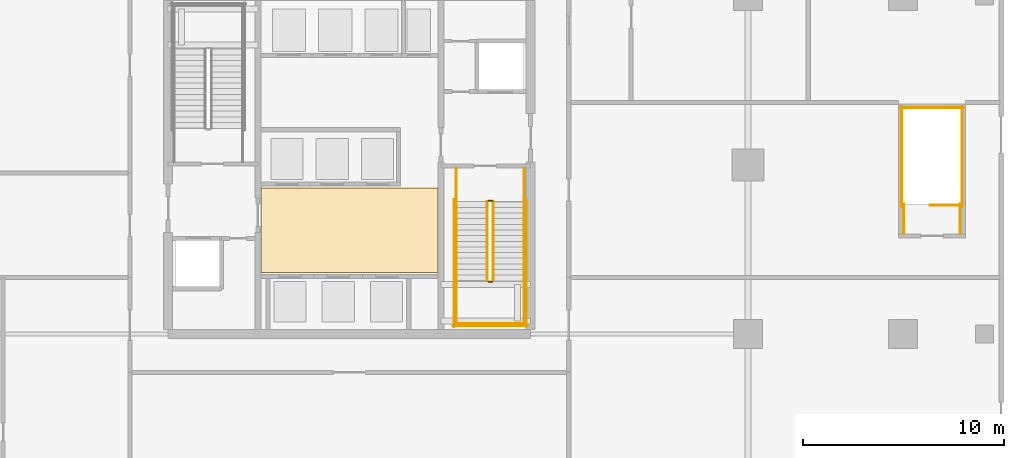
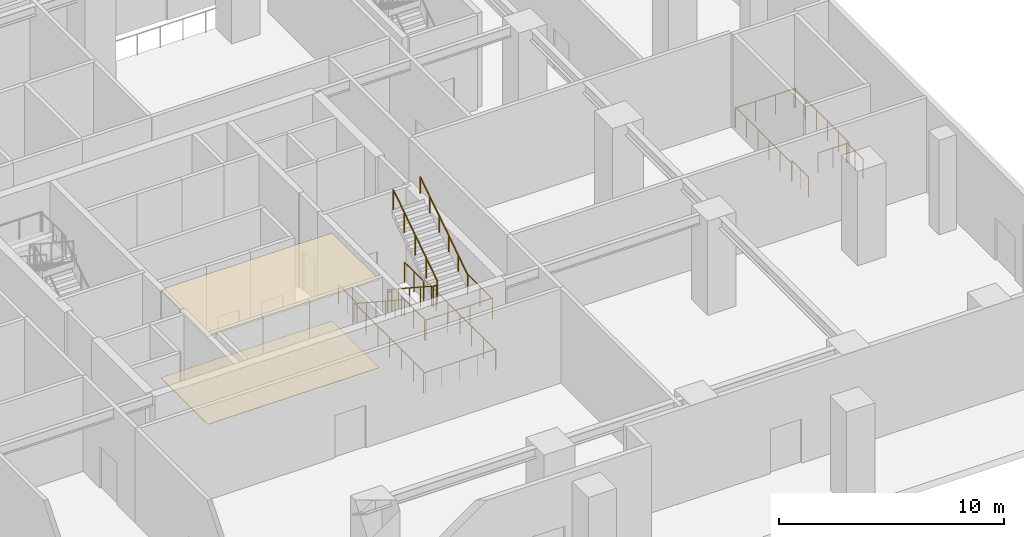
# One storey, part 12 of 15: 20 railings, 2 coverings.
"""IFC4 building model written with IfcOpenShell, lengths in metres."""

from ifc_helpers import new_model, si_unit, direction, frame, origin, origin_2d, place, context, subcontext, project, spatial, polyline, circle, outline, extrude, material, layer, layer_set, type_object, element, save


model = new_model("IFC4")

# Units and contexts
model_context = context("Model", 3, precision=1e-05, world=origin(), true_north=direction((0.0, 1.0)))
body_context = subcontext(model_context, "Body", "Model", "MODEL_VIEW")
ifc_project = project(units=[si_unit("LENGTHUNIT", "METRE"), si_unit("AREAUNIT", "SQUARE_METRE"), si_unit("VOLUMEUNIT", "CUBIC_METRE"), si_unit("PLANEANGLEUNIT", "RADIAN"), si_unit("MASSUNIT", "GRAM", prefix="KILO")], contexts=[model_context])

# Site, building, storey
site_placement = place(None, origin())
site = spatial("IfcSite", under=ifc_project, at=site_placement, CompositionType="ELEMENT")
building_placement = place(site_placement, origin())
building = spatial("IfcBuilding", under=site, at=building_placement, Name="Serunith Strait Residences", CompositionType="ELEMENT")
storey_placement = place(building_placement, origin())
storey = spatial("IfcBuildingStorey", under=building, at=storey_placement, Name="L00", CompositionType="ELEMENT", Elevation=0.0)

# Coverings
ifc_material_1 = material(Name="Perforated acoustic gypsum ceiling tile")
ifc_layer_1 = layer(ifc_material_1, 0.02490234375, Name="Perforated acoustic gypsum ceiling tile")
ifc_layer_set_1 = layer_set([ifc_layer_1], Name="Perforated acoustic gypsum ceiling tile")
covering_type_1 = type_object("IfcCoveringType", Name="COV-CEIL-AC60", PredefinedType="CEILING", material=ifc_layer_set_1)
covering_1_placement = place(storey_placement, frame((0.0, 0.0, 4.77001953125)))
element("IfcCovering", 1, at=covering_1_placement, inside=storey, type_object=covering_type_1, Name="L00 Lift Lobby Acoustic Ceiling", PredefinedType="CEILING", context=body_context, shape_type="SweptSolid", body=[
    extrude(outline(polyline([(28.0, 19.85009765625), (36.800048828125, 19.85009765625), (36.800048828125, 24.050048828125), (28.0, 24.050048828125), (28.0, 19.85009765625)])), origin(), (0.0, 0.0, 1.0), 0.02490234375),
])
ifc_material_2 = material(Name="Honed limestone terrazzo flooring", Category="masonry")
ifc_layer_2 = layer(ifc_material_2, 0.02001953125, Name="Honed limestone terrazzo flooring")
ifc_layer_set_2 = layer_set([ifc_layer_2], Name="Honed limestone terrazzo flooring")
covering_type_2 = type_object("IfcCoveringType", Name="COV-FLOOR-TER40", PredefinedType="FLOORING", material=ifc_layer_set_2)
covering_2_placement = place(storey_placement, origin())
element("IfcCovering", 2, at=covering_2_placement, inside=storey, type_object=covering_type_2, Name="L00 Lift Lobby Terrazzo Flooring", PredefinedType="FLOORING", context=body_context, shape_type="SweptSolid", body=[
    extrude(outline(polyline([(28.0, 19.85009765625), (36.800048828125, 19.85009765625), (36.800048828125, 24.050048828125), (28.0, 24.050048828125), (28.0, 19.85009765625)])), origin(), (0.0, 0.0, 1.0), 0.02001953125),
])

# Railings
ifc_material_3 = material(Name="Brushed stainless steel 316L", Category="steel")
railing_type_1 = type_object("IfcRailingType", Name="RLG-STAIR-GUARD", PredefinedType="BALUSTRADE", material=ifc_material_3)
railing_1_placement = place(storey_placement, frame((39.25, 23.3701171875, 0.183349609375)))
element("IfcRailing", 3, at=railing_1_placement, inside=storey, type_object=railing_type_1, Name="L00 ST-2 stair guard 1", PredefinedType="BALUSTRADE", context=body_context, shape_type="SweptSolid", body=[
    extrude(circle(Radius=0.02392578125, at=origin_2d()), frame((0.0, -0.001708984375, 1.0771484375), z_axis=(0.0, -0.836630751959, 0.54776727255), x_axis=(1.0, 0.0, 0.0)), (0.0, 0.0, 1.0), 4.681640625),
    extrude(circle(Radius=0.02099609375, at=origin_2d()), origin(), (0.0, 0.0, 1.0), 1.050048828125),
    extrude(circle(Radius=0.02099609375, at=origin_2d()), frame((0.0, -0.97998046875, 0.6416015625)), (0.0, 0.0, 1.0), 1.050048828125),
    extrude(circle(Radius=0.02099609375, at=origin_2d()), frame((0.0, -1.9599609375, 1.283203125)), (0.0, 0.0, 1.0), 1.050048828125),
    extrude(circle(Radius=0.02099609375, at=origin_2d()), frame((0.0, -2.940185546875, 1.925048828125)), (0.0, 0.0, 1.0), 1.050048828125),
    extrude(circle(Radius=0.02099609375, at=origin_2d()), frame((0.0, -3.920166015625, 2.566650390625)), (0.0, 0.0, 1.0), 1.050048828125),
])
railing_2_placement = place(storey_placement, frame((39.300048828125, 19.39990234375, 2.75)))
element("IfcRailing", 4, at=railing_2_placement, inside=storey, type_object=railing_type_1, Name="L00 ST-2 stair guard 2", PredefinedType="BALUSTRADE", context=body_context, shape_type="SweptSolid", body=[
    extrude(circle(Radius=0.02392578125, at=origin_2d()), frame((0.001953125, 0.0, 1.076171875), z_axis=(1.0, 0.0, 0.0), x_axis=(0.0, 1.0, 0.0)), (0.0, 0.0, 1.0), 0.196044921875),
    extrude(circle(Radius=0.02099609375, at=origin_2d()), origin(), (0.0, 0.0, 1.0), 1.050048828125),
    extrude(circle(Radius=0.02099609375, at=origin_2d()), frame((0.199951171875, 0.0, 0.0)), (0.0, 0.0, 1.0), 1.050048828125),
])
for number, where, name in (
    (5, (37.699951171875, 19.449951171875, 2.75), "L00 ST-2 stair guard 3"),
    (6, (41.10009765625, 19.449951171875, 2.75), "L00 ST-2 stair guard 4"),
):
    element("IfcRailing", number, at=place(storey_placement, frame(where)), inside=storey, type_object=railing_type_1, Name=name, PredefinedType="BALUSTRADE", context=body_context, shape_type="SweptSolid", body=[
        extrude(circle(Radius=0.02392578125, at=origin_2d()), frame((0.0, -0.001953125, 1.076171875), z_axis=(0.0, -1.0, 0.0), x_axis=(1.0, 0.0, 0.0)), (0.0, 0.0, 1.0), 2.196044921875),
        extrude(circle(Radius=0.02099609375, at=origin_2d()), origin(), (0.0, 0.0, 1.0), 1.050048828125),
        extrude(circle(Radius=0.02099609375, at=origin_2d()), frame((0.0, -1.10009765625, 0.0)), (0.0, 0.0, 1.0), 1.050048828125),
        extrude(circle(Radius=0.02099609375, at=origin_2d()), frame((0.0, -2.199951171875, 0.0)), (0.0, 0.0, 1.0), 1.050048828125),
    ])
railing_3_placement = place(storey_placement, frame((37.64990234375, 17.300048828125, 2.75)))
element("IfcRailing", 7, at=railing_3_placement, inside=storey, type_object=railing_type_1, Name="L00 ST-2 stair guard 5", PredefinedType="BALUSTRADE", context=body_context, shape_type="SweptSolid", body=[
    extrude(circle(Radius=0.02392578125, at=origin_2d()), frame((0.001953125, 0.0, 1.076171875), z_axis=(1.0, 0.0, 0.0), x_axis=(0.0, 1.0, 0.0)), (0.0, 0.0, 1.0), 3.49609375),
    extrude(circle(Radius=0.02099609375, at=origin_2d()), origin(), (0.0, 0.0, 1.0), 1.050048828125),
    extrude(circle(Radius=0.02099609375, at=origin_2d()), frame((1.166748046875, 0.0, 0.0)), (0.0, 0.0, 1.0), 1.050048828125),
    extrude(circle(Radius=0.02099609375, at=origin_2d()), frame((2.333251953125, 0.0, 0.0)), (0.0, 0.0, 1.0), 1.050048828125),
    extrude(circle(Radius=0.02099609375, at=origin_2d()), frame((3.5, 0.0, 0.0)), (0.0, 0.0, 1.0), 1.050048828125),
])
railing_4_placement = place(storey_placement, frame((39.550048828125, 19.449951171875, 2.933349609375)))
element("IfcRailing", 8, at=railing_4_placement, inside=storey, type_object=railing_type_1, Name="L00 ST-2 stair guard 6", PredefinedType="BALUSTRADE", context=body_context, shape_type="SweptSolid", body=[
    extrude(circle(Radius=0.02392578125, at=origin_2d()), frame((0.0, 0.001708984375, 1.0771484375), z_axis=(0.0, 0.836630751959, 0.54776727255), x_axis=(-1.0, 0.0, 0.0)), (0.0, 0.0, 1.0), 4.681640625),
    extrude(circle(Radius=0.02099609375, at=origin_2d()), origin(), (0.0, 0.0, 1.0), 1.050048828125),
    extrude(circle(Radius=0.02099609375, at=origin_2d()), frame((0.0, 0.97998046875, 0.6416015625)), (0.0, 0.0, 1.0), 1.050048828125),
    extrude(circle(Radius=0.02099609375, at=origin_2d()), frame((0.0, 1.9599609375, 1.283203125)), (0.0, 0.0, 1.0), 1.050048828125),
    extrude(circle(Radius=0.02099609375, at=origin_2d()), frame((0.0, 2.940185546875, 1.925048828125)), (0.0, 0.0, 1.0), 1.050048828125),
    extrude(circle(Radius=0.02099609375, at=origin_2d()), frame((0.0, 3.920166015625, 2.566650390625)), (0.0, 0.0, 1.0), 1.050048828125),
])
railing_5_placement = place(storey_placement, frame((39.300048828125, 23.419921875, 0.0)))
element("IfcRailing", 9, at=railing_5_placement, inside=storey, type_object=railing_type_1, Name="L00 ST-2 stair guard 7", PredefinedType="BALUSTRADE", context=body_context, shape_type="SweptSolid", body=[
    extrude(circle(Radius=0.02392578125, at=origin_2d()), frame((0.001953125, 0.0, 1.076171875), z_axis=(1.0, 0.0, 0.0), x_axis=(0.0, 1.0, 0.0)), (0.0, 0.0, 1.0), 0.196044921875),
    extrude(circle(Radius=0.02099609375, at=origin_2d()), origin(), (0.0, 0.0, 1.0), 1.050048828125),
    extrude(circle(Radius=0.02099609375, at=origin_2d()), frame((0.199951171875, 0.0, 0.0)), (0.0, 0.0, 1.0), 1.050048828125),
])
for number, where, name in (
    (10, (37.699951171875, 25.050048828125, 0.0), "L00 ST-2 stair guard 8"),
    (11, (41.10009765625, 25.050048828125, 0.0), "L00 ST-2 stair guard 9"),
):
    element("IfcRailing", number, at=place(storey_placement, frame(where)), inside=storey, type_object=railing_type_1, Name=name, PredefinedType="BALUSTRADE", context=body_context, shape_type="SweptSolid", body=[
        extrude(circle(Radius=0.02392578125, at=origin_2d()), frame((0.0, -0.001953125, 1.076171875), z_axis=(0.0, -1.0, 0.0), x_axis=(1.0, 0.0, 0.0)), (0.0, 0.0, 1.0), 1.676025390625),
        extrude(circle(Radius=0.02099609375, at=origin_2d()), origin(), (0.0, 0.0, 1.0), 1.050048828125),
        extrude(circle(Radius=0.02099609375, at=origin_2d()), frame((0.0, -0.83984375, 0.0)), (0.0, 0.0, 1.0), 1.050048828125),
        extrude(circle(Radius=0.02099609375, at=origin_2d()), frame((0.0, -1.679931640625, 0.0)), (0.0, 0.0, 1.0), 1.050048828125),
    ])
for number, where, name in (
    (12, (37.60009765625, 23.469970703125, 0.0), "L00 ST-2 stair guard 10"),
    (13, (41.199951171875, 23.469970703125, 0.0), "L00 ST-2 stair guard 11"),
):
    element("IfcRailing", number, at=place(storey_placement, frame(where)), inside=storey, type_object=railing_type_1, Name=name, PredefinedType="BALUSTRADE", context=body_context, shape_type="SweptSolid", body=[
        extrude(circle(Radius=0.02392578125, at=origin_2d()), frame((0.0, -0.001953125, 1.076171875), z_axis=(0.0, -1.0, 0.0), x_axis=(1.0, 0.0, 0.0)), (0.0, 0.0, 1.0), 6.316162109375),
        extrude(circle(Radius=0.02099609375, at=origin_2d()), origin(), (0.0, 0.0, 1.0), 1.050048828125),
        extrude(circle(Radius=0.02099609375, at=origin_2d()), frame((0.0, -1.05322265625, 0.0)), (0.0, 0.0, 1.0), 1.050048828125),
        extrude(circle(Radius=0.02099609375, at=origin_2d()), frame((0.0, -2.106689453125, 0.0)), (0.0, 0.0, 1.0), 1.050048828125),
        extrude(circle(Radius=0.02099609375, at=origin_2d()), frame((0.0, -3.16015625, 0.0)), (0.0, 0.0, 1.0), 1.050048828125),
        extrude(circle(Radius=0.02099609375, at=origin_2d()), frame((0.0, -4.21337890625, 0.0)), (0.0, 0.0, 1.0), 1.050048828125),
        extrude(circle(Radius=0.02099609375, at=origin_2d()), frame((0.0, -5.2666015625, 0.0)), (0.0, 0.0, 1.0), 1.050048828125),
        extrude(circle(Radius=0.02099609375, at=origin_2d()), frame((0.0, -6.320068359375, 0.0)), (0.0, 0.0, 1.0), 1.050048828125),
    ])
railing_6_placement = place(storey_placement, frame((37.550048828125, 17.199951171875, 0.0)))
element("IfcRailing", 14, at=railing_6_placement, inside=storey, type_object=railing_type_1, Name="L00 ST-2 stair guard 12", PredefinedType="BALUSTRADE", context=body_context, shape_type="SweptSolid", body=[
    extrude(circle(Radius=0.02392578125, at=origin_2d()), frame((0.001953125, 0.0, 1.076171875), z_axis=(1.0, 0.0, 0.0), x_axis=(0.0, 1.0, 0.0)), (0.0, 0.0, 1.0), 3.696044921875),
    extrude(circle(Radius=0.02099609375, at=origin_2d()), origin(), (0.0, 0.0, 1.0), 1.050048828125),
    extrude(circle(Radius=0.02099609375, at=origin_2d()), frame((0.925048828125, 0.0, 0.0)), (0.0, 0.0, 1.0), 1.050048828125),
    extrude(circle(Radius=0.02099609375, at=origin_2d()), frame((1.85009765625, 0.0, 0.0)), (0.0, 0.0, 1.0), 1.050048828125),
    extrude(circle(Radius=0.02099609375, at=origin_2d()), frame((2.77490234375, 0.0, 0.0)), (0.0, 0.0, 1.0), 1.050048828125),
    extrude(circle(Radius=0.02099609375, at=origin_2d()), frame((3.699951171875, 0.0, 0.0)), (0.0, 0.0, 1.0), 1.050048828125),
])
railing_7_placement = place(storey_placement, frame((62.800048828125, 23.199951171875, 0.0)))
element("IfcRailing", 15, at=railing_7_placement, inside=storey, type_object=railing_type_1, Name="L00 ST-6 top well guard 1", PredefinedType="BALUSTRADE", context=body_context, shape_type="SweptSolid", body=[
    extrude(circle(Radius=0.02392578125, at=origin_2d()), frame((-0.001953125, 0.0, 1.076171875), z_axis=(-1.0, 0.0, 0.0), x_axis=(0.0, -1.0, 0.0)), (0.0, 0.0, 1.0), 1.546142578125),
    extrude(circle(Radius=0.02099609375, at=origin_2d()), origin(), (0.0, 0.0, 1.0), 1.050048828125),
    extrude(circle(Radius=0.02099609375, at=origin_2d()), frame((-0.77490234375, 0.0, 0.0)), (0.0, 0.0, 1.0), 1.050048828125),
    extrude(circle(Radius=0.02099609375, at=origin_2d()), frame((-1.550048828125, 0.0, 0.0)), (0.0, 0.0, 1.0), 1.050048828125),
])
for number, where, name in (
    (16, (62.85009765625, 23.14990234375, 0.0), "L00 ST-6 top well guard 2"),
    (17, (59.85009765625, 23.14990234375, 0.0), "L00 ST-6 top well guard 3"),
):
    element("IfcRailing", number, at=place(storey_placement, frame(where)), inside=storey, type_object=railing_type_1, Name=name, PredefinedType="BALUSTRADE", context=body_context, shape_type="SweptSolid", body=[
        extrude(circle(Radius=0.02392578125, at=origin_2d()), frame((0.0, 0.001953125, 1.076171875), z_axis=(0.0, 1.0, 0.0), x_axis=(-1.0, 0.0, 0.0)), (0.0, 0.0, 1.0), 4.9462890625),
        extrude(circle(Radius=0.02099609375, at=origin_2d()), origin(), (0.0, 0.0, 1.0), 1.050048828125),
        extrude(circle(Radius=0.02099609375, at=origin_2d()), frame((0.0, 0.989990234375, 0.0)), (0.0, 0.0, 1.0), 1.050048828125),
        extrude(circle(Radius=0.02099609375, at=origin_2d()), frame((0.0, 1.97998046875, 0.0)), (0.0, 0.0, 1.0), 1.050048828125),
        extrude(circle(Radius=0.02099609375, at=origin_2d()), frame((0.0, 2.97021484375, 0.0)), (0.0, 0.0, 1.0), 1.050048828125),
        extrude(circle(Radius=0.02099609375, at=origin_2d()), frame((0.0, 3.960205078125, 0.0)), (0.0, 0.0, 1.0), 1.050048828125),
        extrude(circle(Radius=0.02099609375, at=origin_2d()), frame((0.0, 4.9501953125, 0.0)), (0.0, 0.0, 1.0), 1.050048828125),
    ])
railing_8_placement = place(storey_placement, frame((62.89990234375, 28.050048828125, 0.0)))
element("IfcRailing", 18, at=railing_8_placement, inside=storey, type_object=railing_type_1, Name="L00 ST-6 top well guard 4", PredefinedType="BALUSTRADE", context=body_context, shape_type="SweptSolid", body=[
    extrude(circle(Radius=0.02392578125, at=origin_2d()), frame((-0.001953125, 0.0, 1.076171875), z_axis=(-1.0, 0.0, 0.0), x_axis=(0.0, -1.0, 0.0)), (0.0, 0.0, 1.0), 3.095947265625),
    extrude(circle(Radius=0.02099609375, at=origin_2d()), origin(), (0.0, 0.0, 1.0), 1.050048828125),
    extrude(circle(Radius=0.02099609375, at=origin_2d()), frame((-1.033203125, 0.0, 0.0)), (0.0, 0.0, 1.0), 1.050048828125),
    extrude(circle(Radius=0.02099609375, at=origin_2d()), frame((-2.066650390625, 0.0, 0.0)), (0.0, 0.0, 1.0), 1.050048828125),
    extrude(circle(Radius=0.02099609375, at=origin_2d()), frame((-3.099853515625, 0.0, 0.0)), (0.0, 0.0, 1.0), 1.050048828125),
])
for number, where, name in (
    (19, (62.75, 21.800048828125, 0.0), "L00 ST-6 top well guard 5"),
    (20, (59.949951171875, 21.800048828125, 0.0), "L00 ST-6 top well guard 6"),
):
    element("IfcRailing", number, at=place(storey_placement, frame(where)), inside=storey, type_object=railing_type_1, Name=name, PredefinedType="BALUSTRADE", context=body_context, shape_type="SweptSolid", body=[
        extrude(circle(Radius=0.02392578125, at=origin_2d()), frame((0.0, 0.001953125, 1.076171875), z_axis=(0.0, 1.0, 0.0), x_axis=(-1.0, 0.0, 0.0)), (0.0, 0.0, 1.0), 1.446044921875),
        extrude(circle(Radius=0.02099609375, at=origin_2d()), origin(), (0.0, 0.0, 1.0), 1.050048828125),
        extrude(circle(Radius=0.02099609375, at=origin_2d()), frame((0.0, 0.72509765625, 0.0)), (0.0, 0.0, 1.0), 1.050048828125),
        extrude(circle(Radius=0.02099609375, at=origin_2d()), frame((0.0, 1.449951171875, 0.0)), (0.0, 0.0, 1.0), 1.050048828125),
    ])
railing_type_2 = type_object("IfcRailingType", Name="RLG-STAIR-HR", PredefinedType="HANDRAIL", material=ifc_material_3)
railing_9_placement = place(storey_placement, frame((37.699951171875, 23.3701171875, 0.183349609375)))
element("IfcRailing", 21, at=railing_9_placement, inside=storey, type_object=railing_type_2, Name="L00 ST-2 stair handrail 1", PredefinedType="HANDRAIL", context=body_context, shape_type="SweptSolid", body=[
    extrude(circle(Radius=0.02392578125, at=origin_2d()), frame((0.0, -0.001708984375, 0.876953125), z_axis=(0.0, -0.836184440817, 0.54844833935), x_axis=(1.0, 0.0, 0.0)), (0.0, 0.0, 1.0), 5.01904296875),
    extrude(circle(Radius=0.02099609375, at=origin_2d()), origin(), (0.0, 0.0, 1.0), 0.849853515625),
    extrude(circle(Radius=0.02099609375, at=origin_2d()), frame((0.0, -0.840087890625, 0.551025390625)), (0.0, 0.0, 1.0), 0.849853515625),
    extrude(circle(Radius=0.02099609375, at=origin_2d()), frame((0.0, -1.68017578125, 1.10205078125)), (0.0, 0.0, 1.0), 0.849853515625),
    extrude(circle(Radius=0.02099609375, at=origin_2d()), frame((0.0, -2.52001953125, 1.65283203125)), (0.0, 0.0, 1.0), 0.849853515625),
    extrude(circle(Radius=0.02099609375, at=origin_2d()), frame((0.0, -3.360107421875, 2.203857421875)), (0.0, 0.0, 1.0), 0.849853515625),
    extrude(circle(Radius=0.02099609375, at=origin_2d()), frame((0.0, -4.2001953125, 2.7548828125)), (0.0, 0.0, 1.0), 0.849853515625),
])
railing_10_placement = place(storey_placement, frame((41.10009765625, 19.449951171875, 2.933349609375)))
element("IfcRailing", 22, at=railing_10_placement, inside=storey, type_object=railing_type_2, Name="L00 ST-2 stair handrail 2", PredefinedType="HANDRAIL", context=body_context, shape_type="SweptSolid", body=[
    extrude(circle(Radius=0.02392578125, at=origin_2d()), frame((0.0, 0.001708984375, 0.876953125), z_axis=(0.0, 0.836169820036, 0.548470630081), x_axis=(-1.0, 0.0, 0.0)), (0.0, 0.0, 1.0), 5.018798828125),
    extrude(circle(Radius=0.02099609375, at=origin_2d()), origin(), (0.0, 0.0, 1.0), 0.849853515625),
    extrude(circle(Radius=0.02099609375, at=origin_2d()), frame((0.0, 0.840087890625, 0.551025390625)), (0.0, 0.0, 1.0), 0.849853515625),
    extrude(circle(Radius=0.02099609375, at=origin_2d()), frame((0.0, 1.679931640625, 1.10205078125)), (0.0, 0.0, 1.0), 0.849853515625),
    extrude(circle(Radius=0.02099609375, at=origin_2d()), frame((0.0, 2.52001953125, 1.65283203125)), (0.0, 0.0, 1.0), 0.849853515625),
    extrude(circle(Radius=0.02099609375, at=origin_2d()), frame((0.0, 3.35986328125, 2.203857421875)), (0.0, 0.0, 1.0), 0.849853515625),
    extrude(circle(Radius=0.02099609375, at=origin_2d()), frame((0.0, 4.199951171875, 2.7548828125)), (0.0, 0.0, 1.0), 0.849853515625),
])

save(model, "model.ifc")
